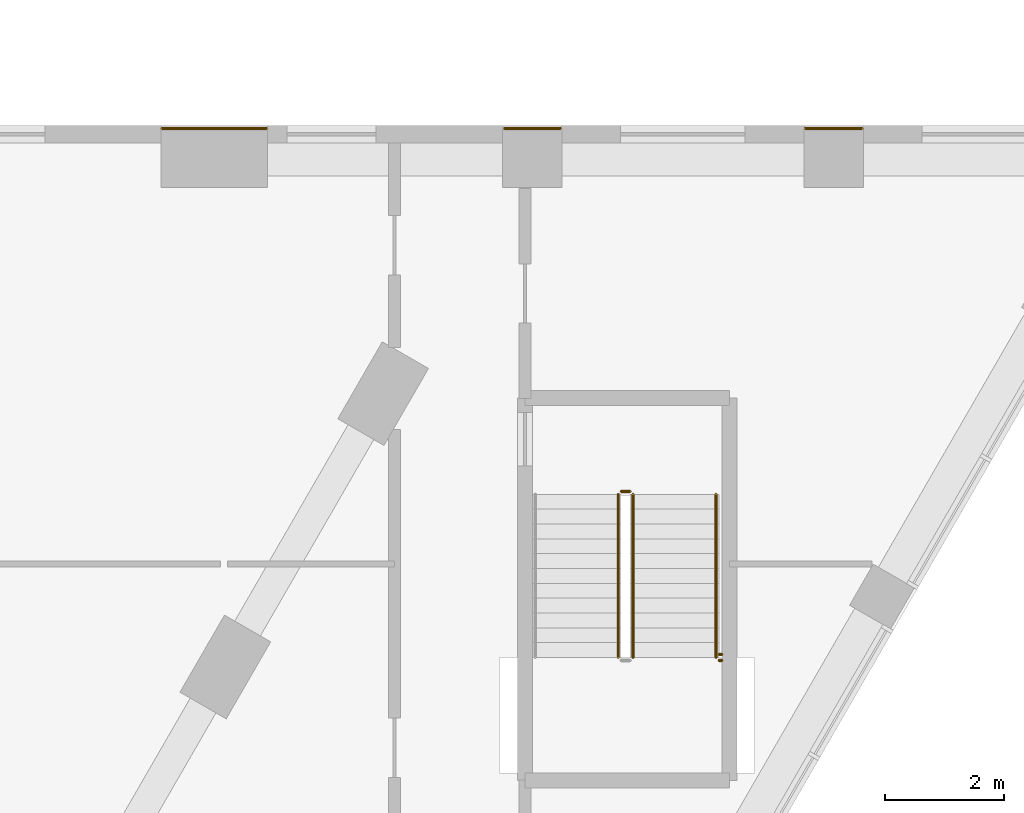
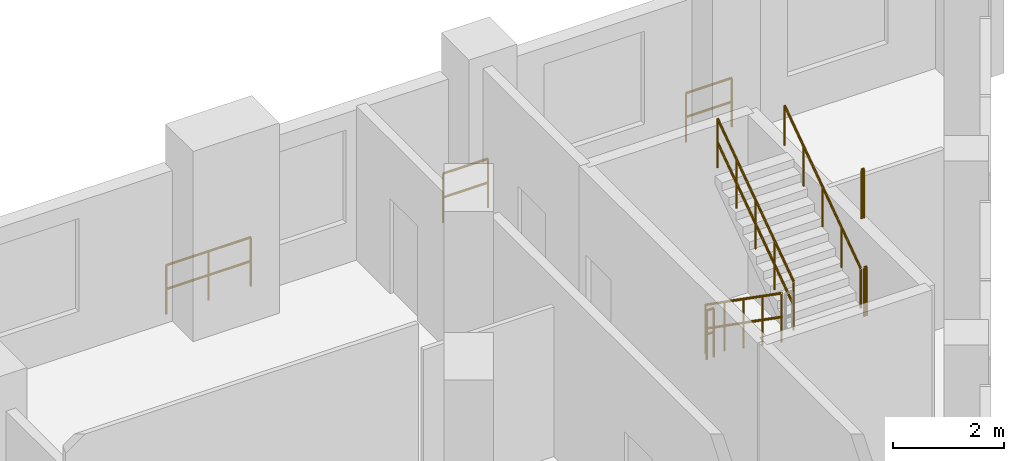
# One storey, part 20 of 22: 9 railings.
"""IFC4 building model written with IfcOpenShell, lengths in metres."""

from ifc_helpers import new_model, si_unit, direction, frame, origin, origin_2d, place, context, subcontext, project, spatial, circle, extrude, material, type_object, element, save


model = new_model("IFC4")

# Units and contexts
model_context = context("Model", 3, precision=1e-05, world=origin(), true_north=direction((0.0, 1.0)))
body_context = subcontext(model_context, "Body", "Model", "MODEL_VIEW")
ifc_project = project(units=[si_unit("LENGTHUNIT", "METRE"), si_unit("AREAUNIT", "SQUARE_METRE"), si_unit("VOLUMEUNIT", "CUBIC_METRE"), si_unit("PLANEANGLEUNIT", "RADIAN"), si_unit("MASSUNIT", "GRAM", prefix="KILO")], contexts=[model_context])

# Site, building, storey
site_placement = place(None, origin())
site = spatial("IfcSite", under=ifc_project, at=site_placement, CompositionType="ELEMENT")
building_placement = place(site_placement, origin())
building = spatial("IfcBuilding", under=site, at=building_placement, Name="Nakaniwa Court", CompositionType="ELEMENT")
storey_placement = place(building_placement, frame((0.0, 0.0, 24.0)))
storey = spatial("IfcBuildingStorey", under=building, at=storey_placement, Name="L05", CompositionType="ELEMENT", Elevation=24.0)

# Railings
ifc_material_1 = material(Name="Black powder coated steel guard", Category="steel")
railing_type_1 = type_object("IfcRailingType", Name="Stair guard 1100", PredefinedType="GUARDRAIL", material=ifc_material_1)
railing_1_placement = place(storey_placement, frame((104.27490234375, 66.375, 0.175048828125)))
element("IfcRailing", 1, at=railing_1_placement, inside=storey, type_object=railing_type_1, Name="L05 SS3 stair guard 1", PredefinedType="GUARDRAIL", context=body_context, shape_type="SweptSolid", body=[
    extrude(circle(Radius=0.02392578125, at=origin_2d()), frame((0.0, 0.0, 1.076171875), z_axis=(0.0, -0.819225086817, 0.573472106672), x_axis=(1.0, 0.0, 0.0)), (0.0, 0.0, 1.0), 3.35693359375),
    extrude(circle(Radius=0.02392578125, at=origin_2d()), frame((0.0, 0.0, 0.550048828125), z_axis=(0.0, -0.819225086817, 0.573472106672), x_axis=(1.0, 0.0, 0.0)), (0.0, 0.0, 1.0), 3.35693359375),
    extrude(circle(Radius=0.02099609375, at=origin_2d()), origin(), (0.0, 0.0, 1.0), 1.052001953125),
    extrude(circle(Radius=0.02099609375, at=origin_2d()), frame((0.0, -0.6875, 0.481201171875)), (0.0, 0.0, 1.0), 1.052001953125),
    extrude(circle(Radius=0.02099609375, at=origin_2d()), frame((0.0, -1.375, 0.96240234375)), (0.0, 0.0, 1.0), 1.052001953125),
    extrude(circle(Radius=0.02099609375, at=origin_2d()), frame((0.0, -2.0625, 1.44384765625)), (0.0, 0.0, 1.0), 1.052001953125),
    extrude(circle(Radius=0.02099609375, at=origin_2d()), frame((0.0, -2.75, 1.925048828125)), (0.0, 0.0, 1.0), 1.052001953125),
])
railing_2_placement = place(storey_placement, frame((104.52490234375, 63.625, 2.27490234375)))
element("IfcRailing", 2, at=railing_2_placement, inside=storey, type_object=railing_type_1, Name="L05 SS3 stair guard 3", PredefinedType="GUARDRAIL", context=body_context, shape_type="SweptSolid", body=[
    extrude(circle(Radius=0.02392578125, at=origin_2d()), frame((0.0, 0.0, 1.076171875), z_axis=(0.0, 0.819225086817, 0.573472106672), x_axis=(-1.0, 0.0, 0.0)), (0.0, 0.0, 1.0), 3.35693359375),
    extrude(circle(Radius=0.02392578125, at=origin_2d()), frame((0.0, 0.0, 0.550048828125), z_axis=(0.0, 0.819225086817, 0.573472106672), x_axis=(-1.0, 0.0, 0.0)), (0.0, 0.0, 1.0), 3.35693359375),
    extrude(circle(Radius=0.02099609375, at=origin_2d()), origin(), (0.0, 0.0, 1.0), 1.052001953125),
    extrude(circle(Radius=0.02099609375, at=origin_2d()), frame((0.0, 0.6875, 0.481201171875)), (0.0, 0.0, 1.0), 1.052001953125),
    extrude(circle(Radius=0.02099609375, at=origin_2d()), frame((0.0, 1.375, 0.96240234375)), (0.0, 0.0, 1.0), 1.052001953125),
    extrude(circle(Radius=0.02099609375, at=origin_2d()), frame((0.0, 2.0625, 1.44384765625)), (0.0, 0.0, 1.0), 1.052001953125),
    extrude(circle(Radius=0.02099609375, at=origin_2d()), frame((0.0, 2.75, 1.925048828125)), (0.0, 0.0, 1.0), 1.052001953125),
])
railing_3_placement = place(storey_placement, frame((104.324951171875, 66.425048828125, 0.0)))
element("IfcRailing", 3, at=railing_3_placement, inside=storey, type_object=railing_type_1, Name="L05 SS3 stair guard 4", PredefinedType="GUARDRAIL", context=body_context, shape_type="SweptSolid", body=[
    extrude(circle(Radius=0.02392578125, at=origin_2d()), frame((0.0, 0.0, 1.076171875), z_axis=(1.0, 0.0, 0.0), x_axis=(0.0, 1.0, 0.0)), (0.0, 0.0, 1.0), 0.150146484375),
    extrude(circle(Radius=0.02392578125, at=origin_2d()), frame((0.0, 0.0, 0.550048828125), z_axis=(1.0, 0.0, 0.0), x_axis=(0.0, 1.0, 0.0)), (0.0, 0.0, 1.0), 0.150146484375),
    extrude(circle(Radius=0.02099609375, at=origin_2d()), origin(), (0.0, 0.0, 1.0), 1.052001953125),
    extrude(circle(Radius=0.02099609375, at=origin_2d()), frame((0.150146484375, 0.0, 0.0)), (0.0, 0.0, 1.0), 1.052001953125),
])
for number, where, name in (
    (4, (105.97509765625, 63.574951171875, 2.10009765625), "L05 SS3 landing side guard 1E"),
    (5, (105.97509765625, 63.675048828125, 4.199951171875), "L05 SS3 floor edge guard 1E"),
):
    element("IfcRailing", number, at=place(storey_placement, frame(where)), inside=storey, type_object=railing_type_1, Name=name, PredefinedType="GUARDRAIL", context=body_context, shape_type="SweptSolid", body=[
        extrude(circle(Radius=0.02392578125, at=origin_2d()), frame((0.0, 0.0, 1.076171875), z_axis=(1.0, 0.0, 0.0), x_axis=(0.0, 1.0, 0.0)), (0.0, 0.0, 1.0), 0.0498046875),
        extrude(circle(Radius=0.02392578125, at=origin_2d()), frame((0.0, 0.0, 0.550048828125), z_axis=(1.0, 0.0, 0.0), x_axis=(0.0, 1.0, 0.0)), (0.0, 0.0, 1.0), 0.0498046875),
        extrude(circle(Radius=0.02099609375, at=origin_2d()), origin(), (0.0, 0.0, 1.0), 1.052001953125),
        extrude(circle(Radius=0.02099609375, at=origin_2d()), frame((0.0498046875, 0.0, 0.0)), (0.0, 0.0, 1.0), 1.052001953125),
    ])
railing_4_placement = place(storey_placement, frame((96.573974609375, 72.550048828125, 0.0)))
element("IfcRailing", 6, at=railing_4_placement, inside=storey, type_object=railing_type_1, Name="GUARD GD-L05-087", PredefinedType="GUARDRAIL", context=body_context, shape_type="SweptSolid", body=[
    extrude(circle(Radius=0.02392578125, at=origin_2d()), frame((0.0, 0.0, 1.076171875), z_axis=(1.0, 0.0, 0.0), x_axis=(0.0, 1.0, 0.0)), (0.0, 0.0, 1.0), 1.768310546875),
    extrude(circle(Radius=0.02392578125, at=origin_2d()), frame((0.0, 0.0, 0.550048828125), z_axis=(1.0, 0.0, 0.0), x_axis=(0.0, 1.0, 0.0)), (0.0, 0.0, 1.0), 1.768310546875),
    extrude(circle(Radius=0.02099609375, at=origin_2d()), origin(), (0.0, 0.0, 1.0), 1.052001953125),
    extrude(circle(Radius=0.02099609375, at=origin_2d()), frame((0.88427734375, 0.0, 0.0)), (0.0, 0.0, 1.0), 1.052001953125),
    extrude(circle(Radius=0.02099609375, at=origin_2d()), frame((1.768310546875, 0.0, 0.0)), (0.0, 0.0, 1.0), 1.052001953125),
])
railing_5_placement = place(storey_placement, frame((102.356689453125, 72.550048828125, 0.0)))
element("IfcRailing", 7, at=railing_5_placement, inside=storey, type_object=railing_type_1, Name="GUARD GD-L05-088", PredefinedType="GUARDRAIL", context=body_context, shape_type="SweptSolid", body=[
    extrude(circle(Radius=0.02392578125, at=origin_2d()), frame((0.0, 0.0, 1.076171875), z_axis=(1.0, 0.0, 0.0), x_axis=(0.0, 1.0, 0.0)), (0.0, 0.0, 1.0), 0.939453125),
    extrude(circle(Radius=0.02392578125, at=origin_2d()), frame((0.0, 0.0, 0.550048828125), z_axis=(1.0, 0.0, 0.0), x_axis=(0.0, 1.0, 0.0)), (0.0, 0.0, 1.0), 0.939453125),
    extrude(circle(Radius=0.02099609375, at=origin_2d()), origin(), (0.0, 0.0, 1.0), 1.052001953125),
    extrude(circle(Radius=0.02099609375, at=origin_2d()), frame((0.939453125, 0.0, 0.0)), (0.0, 0.0, 1.0), 1.052001953125),
])
railing_6_placement = place(storey_placement, frame((107.430419921875, 72.550048828125, 0.0)))
element("IfcRailing", 8, at=railing_6_placement, inside=storey, type_object=railing_type_1, Name="GUARD GD-L05-089", PredefinedType="GUARDRAIL", context=body_context, shape_type="SweptSolid", body=[
    extrude(circle(Radius=0.02392578125, at=origin_2d()), frame((0.0, 0.0, 1.076171875), z_axis=(1.0, 0.0, 0.0), x_axis=(0.0, 1.0, 0.0)), (0.0, 0.0, 1.0), 0.95947265625),
    extrude(circle(Radius=0.02392578125, at=origin_2d()), frame((0.0, 0.0, 0.550048828125), z_axis=(1.0, 0.0, 0.0), x_axis=(0.0, 1.0, 0.0)), (0.0, 0.0, 1.0), 0.95947265625),
    extrude(circle(Radius=0.02099609375, at=origin_2d()), origin(), (0.0, 0.0, 1.0), 1.052001953125),
    extrude(circle(Radius=0.02099609375, at=origin_2d()), frame((0.95947265625, 0.0, 0.0)), (0.0, 0.0, 1.0), 1.052001953125),
])
ifc_material_2 = material(Name="Black powder coated steel handrail", Category="steel")
railing_type_2 = type_object("IfcRailingType", Name="Stair handrail 900", PredefinedType="HANDRAIL", material=ifc_material_2)
railing_7_placement = place(storey_placement, frame((105.925048828125, 63.625, 2.27490234375)))
element("IfcRailing", 9, at=railing_7_placement, inside=storey, type_object=railing_type_2, Name="L05 SS3 stair handrail 2", PredefinedType="HANDRAIL", context=body_context, shape_type="SweptSolid", body=[
    extrude(circle(Radius=0.02392578125, at=origin_2d()), frame((0.0, 0.0, 0.8759765625), z_axis=(0.0, 0.819225086817, 0.573472106672), x_axis=(-1.0, 0.0, 0.0)), (0.0, 0.0, 1.0), 3.35693359375),
    extrude(circle(Radius=0.02099609375, at=origin_2d()), origin(), (0.0, 0.0, 1.0), 0.851806640625),
    extrude(circle(Radius=0.02099609375, at=origin_2d()), frame((0.0, 0.6875, 0.481201171875)), (0.0, 0.0, 1.0), 0.851806640625),
    extrude(circle(Radius=0.02099609375, at=origin_2d()), frame((0.0, 1.375, 0.96240234375)), (0.0, 0.0, 1.0), 0.851806640625),
    extrude(circle(Radius=0.02099609375, at=origin_2d()), frame((0.0, 2.0625, 1.44384765625)), (0.0, 0.0, 1.0), 0.851806640625),
    extrude(circle(Radius=0.02099609375, at=origin_2d()), frame((0.0, 2.75, 1.925048828125)), (0.0, 0.0, 1.0), 0.851806640625),
])

save(model, "model.ifc")
